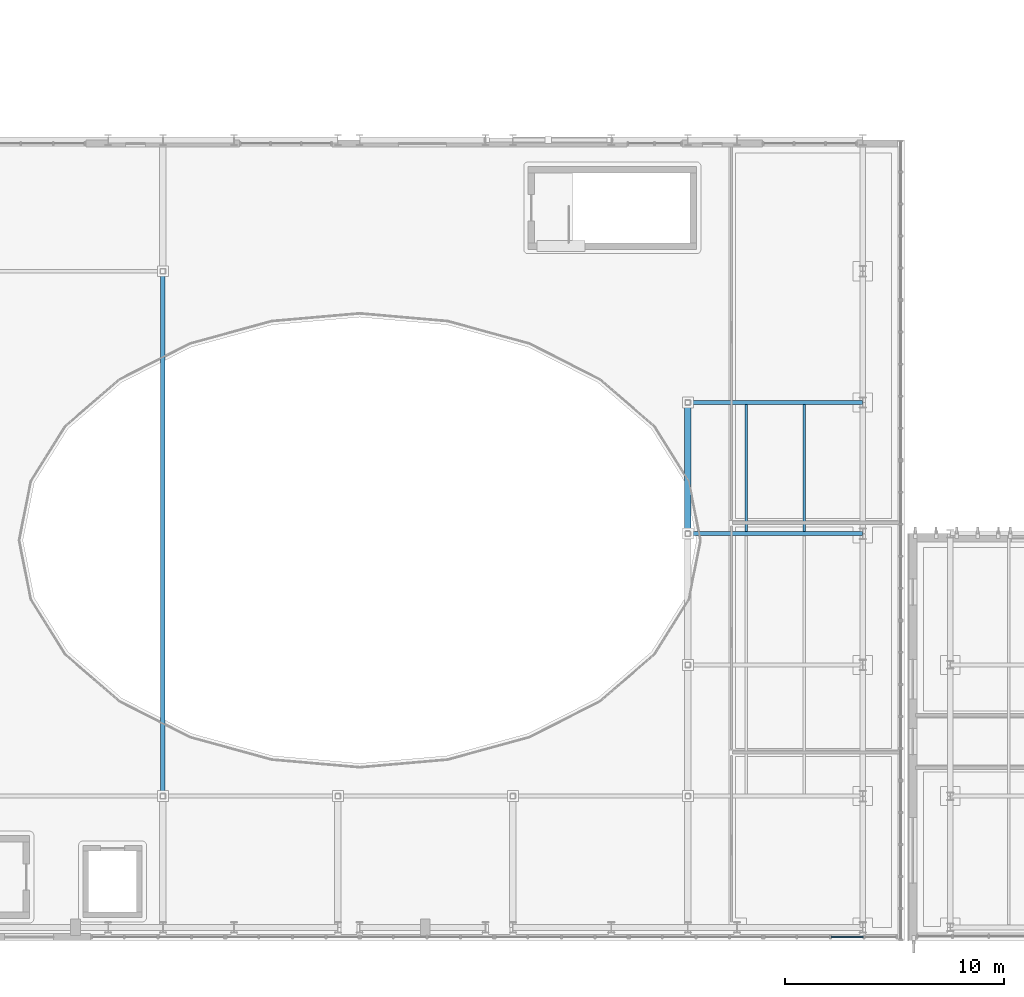
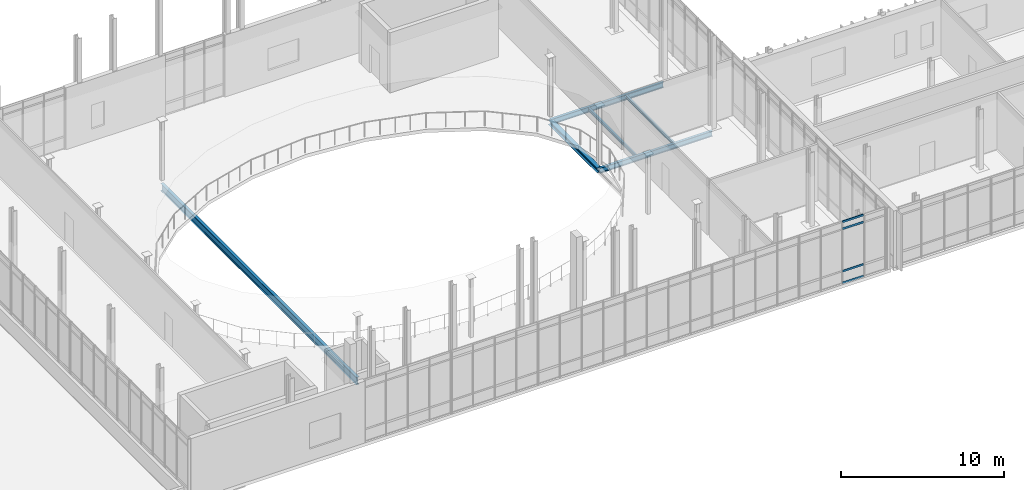
# One storey, part 24 of 86: 6 beams, 4 members, 1 element without a shape of its own.
"""IFC4 building model written with IfcOpenShell, lengths in metres."""

from ifc_helpers import new_model, si_unit, direction, frame, origin, origin_2d, place, context, subcontext, project, spatial, rectangle, i_section, extrude, material, material_profile, profile_set, type_object, element, aggregate, save


model = new_model("IFC4")

# Units and contexts
model_context = context("Model", 3, precision=1e-05, world=origin(), true_north=direction((0.0, 1.0)))
body_context = subcontext(model_context, "Body", "Model", "MODEL_VIEW")
ifc_project = project(units=[si_unit("LENGTHUNIT", "METRE"), si_unit("AREAUNIT", "SQUARE_METRE"), si_unit("VOLUMEUNIT", "CUBIC_METRE"), si_unit("PLANEANGLEUNIT", "RADIAN"), si_unit("MASSUNIT", "GRAM", prefix="KILO")], contexts=[model_context])

# Site, building, storey
site_placement = place(None, origin())
site = spatial("IfcSite", under=ifc_project, at=site_placement, CompositionType="ELEMENT")
building_placement = place(site_placement, origin())
building = spatial("IfcBuilding", under=site, at=building_placement, Name="Cymarion Research Institute", CompositionType="ELEMENT")
storey_placement = place(building_placement, frame((0.0, 0.0, 13.800048828125)))
storey = spatial("IfcBuildingStorey", under=building, at=storey_placement, Name="L03", CompositionType="ELEMENT", Elevation=13.800048828125)

# Curtain wall, members
ifc_material_1 = material(Name="Anodised aluminium unitised curtain wall with Low-E glazing", Category="aluminium")
curtain_wall_type = type_object("IfcCurtainWallType", Name="UNITISED CURTAIN WALL CW27 6150X4620", PredefinedType="NOTDEFINED", material=ifc_material_1)
curtain_wall_placement = place(storey_placement, origin())
curtain_wall = element("IfcCurtainWall", 1, at=curtain_wall_placement, inside=storey, type_object=curtain_wall_type, Name="L03 V2 unitised curtain wall CW27 #136", PredefinedType="NOTDEFINED")
ifc_material_2 = material(Name="Anodised aluminium framing", Category="aluminium")
ifc_material_profile_1 = material_profile(ifc_material_2, rectangle(XDim=0.06005859375, YDim=0.14990234375, at=origin_2d()), Name="ALU TRANSOM 60x150")
ifc_profile_set_1 = profile_set([ifc_material_profile_1], Name="Anodised aluminium framing")
member_type = type_object("IfcMemberType", Name="CURTAIN WALL TRANSOM TR01 60X150", PredefinedType="USERDEFINED", material=ifc_profile_set_1)
member_1_placement = place(storey_placement, frame((101.1533203125, 5.06005859375, 0.030029296875), z_axis=(1.0, 0.0, 0.0), x_axis=(0.0, 1.0, 0.0)))
member_1 = element("IfcMember", 2, at=member_1_placement, type_object=member_type, Name="CW27 transom 3.1", ObjectType="TRANSOM", PredefinedType="USERDEFINED", context=body_context, shape_type="SweptSolid", body=[
    extrude(rectangle(XDim=0.06005859375, YDim=0.14990234375, at=origin_2d()), origin(), (0.0, 0.0, 1.0), 1.477294921875),
])
member_2_placement = place(storey_placement, frame((101.1533203125, 5.06005859375, 0.89990234375), z_axis=(1.0, 0.0, 0.0), x_axis=(0.0, 1.0, 0.0)))
member_2 = element("IfcMember", 3, at=member_2_placement, type_object=member_type, Name="CW27 transom 3.2", ObjectType="TRANSOM", PredefinedType="USERDEFINED", context=body_context, shape_type="SweptSolid", body=[
    extrude(rectangle(XDim=0.06005859375, YDim=0.14990234375, at=origin_2d()), origin(), (0.0, 0.0, 1.0), 1.477294921875),
])
member_3_placement = place(storey_placement, frame((101.1533203125, 5.06005859375, 4.070068359375), z_axis=(1.0, 0.0, 0.0), x_axis=(0.0, 1.0, 0.0)))
member_3 = element("IfcMember", 4, at=member_3_placement, type_object=member_type, Name="CW27 transom 3.3", ObjectType="TRANSOM", PredefinedType="USERDEFINED", context=body_context, shape_type="SweptSolid", body=[
    extrude(rectangle(XDim=0.06005859375, YDim=0.14990234375, at=origin_2d()), origin(), (0.0, 0.0, 1.0), 1.477294921875),
])
member_4_placement = place(storey_placement, frame((101.1533203125, 5.06005859375, 4.58984375), z_axis=(1.0, 0.0, 0.0), x_axis=(0.0, 1.0, 0.0)))
member_4 = element("IfcMember", 5, at=member_4_placement, type_object=member_type, Name="CW27 transom 3.4", ObjectType="TRANSOM", PredefinedType="USERDEFINED", context=body_context, shape_type="SweptSolid", body=[
    extrude(rectangle(XDim=0.06005859375, YDim=0.14990234375, at=origin_2d()), origin(), (0.0, 0.0, 1.0), 1.477294921875),
])
aggregate(curtain_wall, [member_1, member_2, member_3, member_4])

# Beams
ifc_material_3 = material(Name="Steel S355", Category="steel")
ifc_material_profile_2 = material_profile(ifc_material_3, i_section(OverallWidth=0.2099609375, OverallDepth=0.550048828125, WebThickness=0.010986328125, FlangeThickness=0.01708984375, FilletRadius=0.02392578125, at=origin_2d()), Name="IPE 550")
ifc_profile_set_2 = profile_set([ifc_material_profile_2], Name="Steel S355")
beam_type_1 = type_object("IfcBeamType", Name="PRIMARY GIRDER BM02 IPE 550", PredefinedType="BEAM", material=ifc_profile_set_2)
beam_1_placement = place(storey_placement, frame((70.60009765625, 11.506103515625, -0.525146484375), z_axis=(0.0, 1.0, 0.0), x_axis=(-1.0, 0.0, 0.0)))
element("IfcBeam", 6, at=beam_1_placement, inside=storey, type_object=beam_type_1, Name="L03 V2 girder BM02 #1323", PredefinedType="BEAM", context=body_context, shape_type="SweptSolid", body=[
    extrude(i_section(OverallWidth=0.2099609375, OverallDepth=0.550048828125, WebThickness=0.010986328125, FlangeThickness=0.01708984375, FilletRadius=0.02392578125, at=origin_2d()), origin(), (0.0, 0.0, 1.0), 23.98779296875),
])
ifc_material_profile_3 = material_profile(ifc_material_3, i_section(OverallWidth=0.179931640625, OverallDepth=0.39990234375, WebThickness=0.008544921875, FlangeThickness=0.013427734375, FilletRadius=0.02099609375, at=origin_2d()), Name="IPE 400")
ifc_profile_set_3 = profile_set([ifc_material_profile_3], Name="Steel S355")
beam_type_2 = type_object("IfcBeamType", Name="PRIMARY GIRDER BM05 IPE 400", PredefinedType="BEAM", material=ifc_profile_set_3)
for number, where, z_axis, x_axis, name in (
    (7, (94.60595703125, 23.5, -0.449951171875), (1.0, 0.0, 0.0), (0.0, 1.0, 0.0), "L03 V2 girder BM05 #1297"),
    (8, (94.60595703125, 29.5, -0.449951171875), (1.0, 0.0, 0.0), (0.0, 1.0, 0.0), "L03 V2 girder BM05 #1299"),
):
    element("IfcBeam", number, at=place(storey_placement, frame(where, z_axis=z_axis, x_axis=x_axis)), inside=storey, type_object=beam_type_2, Name=name, PredefinedType="BEAM", context=body_context, shape_type="SweptSolid", body=[
        extrude(i_section(OverallWidth=0.179931640625, OverallDepth=0.39990234375, WebThickness=0.008544921875, FlangeThickness=0.013427734375, FilletRadius=0.02099609375, at=origin_2d()), origin(), (0.0, 0.0, 1.0), 7.988037109375),
    ])
ifc_material_profile_4 = material_profile(ifc_material_3, i_section(OverallWidth=0.300048828125, OverallDepth=0.35009765625, WebThickness=0.010009765625, FlangeThickness=0.017578125, FilletRadius=0.027099609375, at=origin_2d()), Name="HEA 360")
ifc_profile_set_4 = profile_set([ifc_material_profile_4], Name="Steel S355")
beam_type_3 = type_object("IfcBeamType", Name="PRIMARY GIRDER BM12 HEA 360", PredefinedType="BEAM", material=ifc_profile_set_4)
beam_2_placement = place(storey_placement, frame((94.60009765625, 23.506103515625, -0.425048828125), z_axis=(0.0, 1.0, 0.0), x_axis=(-1.0, 0.0, 0.0)))
element("IfcBeam", 9, at=beam_2_placement, inside=storey, type_object=beam_type_3, Name="L03 V2 girder BM12 #1330", PredefinedType="BEAM", context=body_context, shape_type="SweptSolid", body=[
    extrude(i_section(OverallWidth=0.300048828125, OverallDepth=0.35009765625, WebThickness=0.010009765625, FlangeThickness=0.017578125, FilletRadius=0.027099609375, at=origin_2d()), origin(), (0.0, 0.0, 1.0), 5.98779296875),
])
ifc_material_profile_5 = material_profile(ifc_material_3, i_section(OverallWidth=0.1201171875, OverallDepth=0.239990234375, WebThickness=0.006103515625, FlangeThickness=0.009765625, FilletRadius=0.014892578125, at=origin_2d()), Name="IPE 240")
ifc_profile_set_5 = profile_set([ifc_material_profile_5], Name="Steel S355")
beam_type_4 = type_object("IfcBeamType", Name="SECONDARY JOIST JS04 IPE 240", PredefinedType="JOIST", material=ifc_profile_set_5)
for number, where, z_axis, x_axis, name in (
    (10, (97.2666015625, 23.593994140625, -0.3701171875), (0.0, 1.0, 0.0), (-1.0, 0.0, 0.0), "L03 V2 secondary joist JS04 #1344"),
    (11, (99.933349609375, 23.593994140625, -0.3701171875), (0.0, 1.0, 0.0), (-1.0, 0.0, 0.0), "L03 V2 secondary joist JS04 #1345"),
):
    element("IfcBeam", number, at=place(storey_placement, frame(where, z_axis=z_axis, x_axis=x_axis)), inside=storey, type_object=beam_type_4, Name=name, PredefinedType="JOIST", context=body_context, shape_type="SweptSolid", body=[
        extrude(i_section(OverallWidth=0.1201171875, OverallDepth=0.239990234375, WebThickness=0.006103515625, FlangeThickness=0.009765625, FilletRadius=0.014892578125, at=origin_2d()), origin(), (0.0, 0.0, 1.0), 5.81201171875),
    ])

save(model, "model.ifc")
